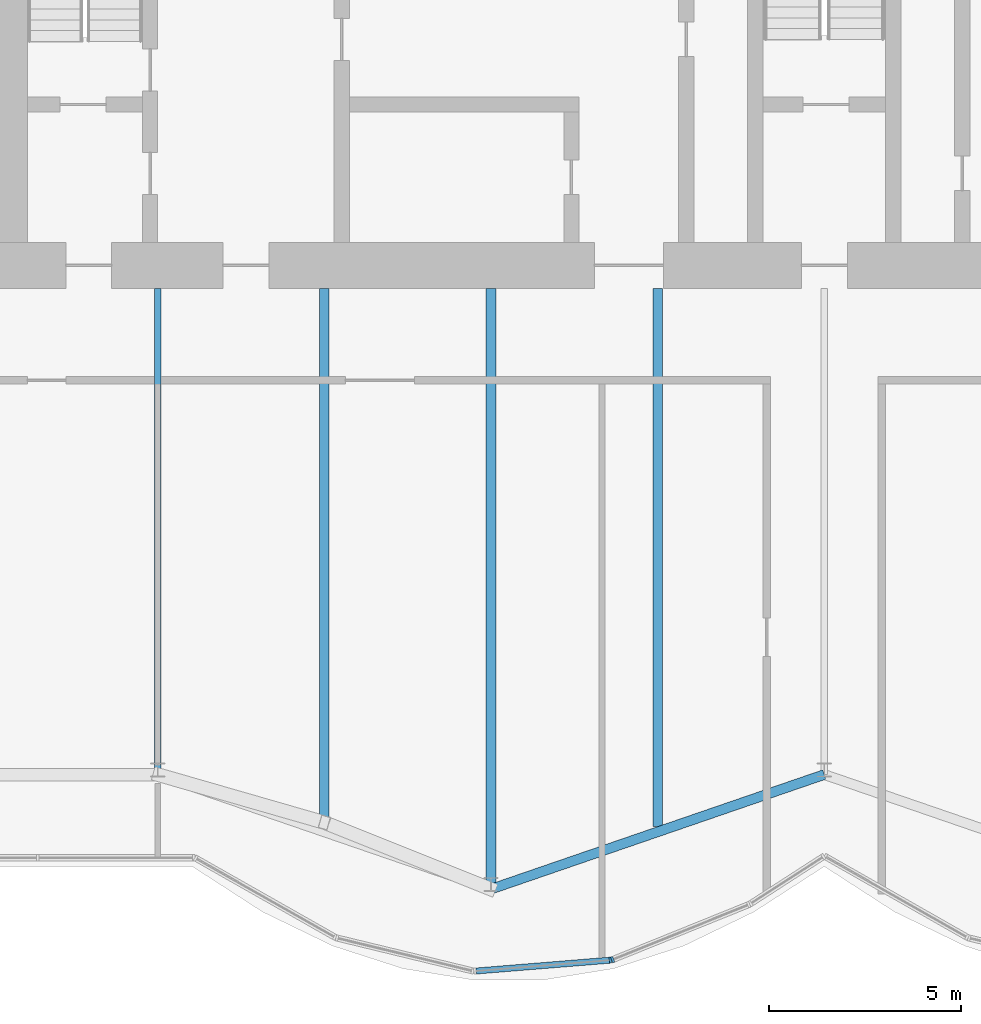
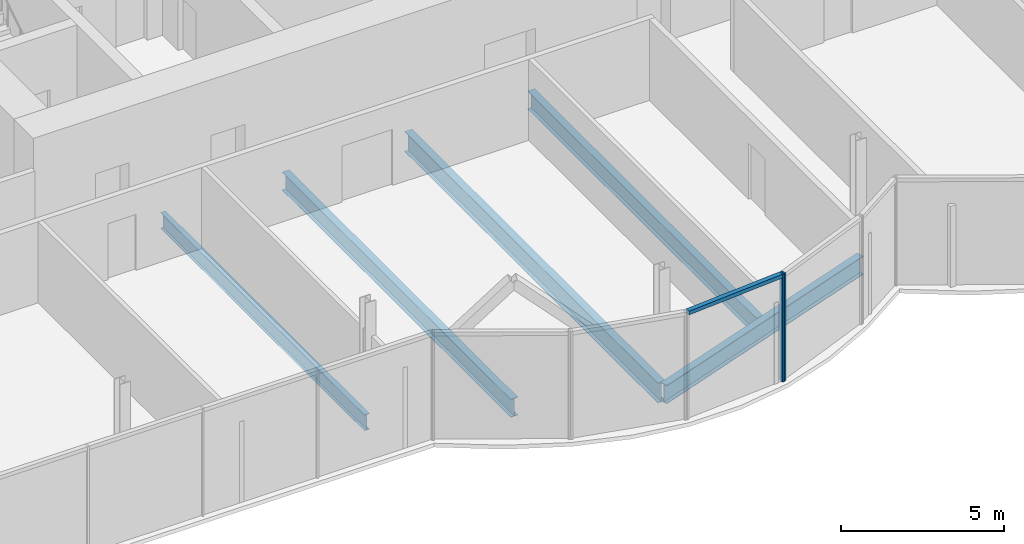
# One storey, part 6 of 19: 5 beams, 3 members, 1 element without a shape of its own.
"""IFC4 building model written with IfcOpenShell, lengths in metres."""

from ifc_helpers import new_model, si_unit, direction, frame, origin, origin_2d, place, context, subcontext, project, spatial, rectangle, i_section, extrude, material, material_profile, profile_set, type_object, element, aggregate, save


model = new_model("IFC4")

# Units and contexts
model_context = context("Model", 3, precision=1e-05, world=origin(), true_north=direction((0.0, 1.0)))
body_context = subcontext(model_context, "Body", "Model", "MODEL_VIEW")
ifc_project = project(units=[si_unit("LENGTHUNIT", "METRE"), si_unit("AREAUNIT", "SQUARE_METRE"), si_unit("VOLUMEUNIT", "CUBIC_METRE"), si_unit("PLANEANGLEUNIT", "RADIAN"), si_unit("MASSUNIT", "GRAM", prefix="KILO")], contexts=[model_context])

# Site, building, storey
site_placement = place(None, origin())
site = spatial("IfcSite", under=ifc_project, at=site_placement, CompositionType="ELEMENT")
building_placement = place(site_placement, origin())
building = spatial("IfcBuilding", under=site, at=building_placement, Name="Bicima Exchange Tower", CompositionType="ELEMENT")
storey_placement = place(building_placement, frame((0.0, 0.0, 279.199951171875)))
storey = spatial("IfcBuildingStorey", under=building, at=storey_placement, Name="L63", CompositionType="ELEMENT", Elevation=279.199951171875)

# Beams
ifc_material_1 = material(Name="Steel ASTM A992 Gr 50", Category="steel")
ifc_material_profile_1 = material_profile(ifc_material_1, i_section(OverallWidth=0.177978515625, OverallDepth=0.599365234375, WebThickness=0.010009765625, FlangeThickness=0.012939453125, at=origin_2d()))
ifc_profile_set_1 = profile_set([ifc_material_profile_1], Name="Steel ASTM A992 Gr 50")
beam_type_1 = type_object("IfcBeamType", Name="Floor beam W24x55", PredefinedType="JOIST", material=ifc_profile_set_1)
beam_1_placement = place(storey_placement, frame((-17.39990234375, -13.0, -0.44970703125), z_axis=(0.0, -1.0, 0.0), x_axis=(1.0, 0.0, 0.0)))
element("IfcBeam", 1, at=beam_1_placement, inside=storey, type_object=beam_type_1, Name="Floor beam", PredefinedType="JOIST", context=body_context, shape_type="SweptSolid", body=[
    extrude(i_section(OverallWidth=0.177978515625, OverallDepth=0.599365234375, WebThickness=0.010009765625, FlangeThickness=0.012939453125, at=origin_2d()), origin(), (0.0, 0.0, 1.0), 12.529296875),
])
ifc_material_profile_2 = material_profile(ifc_material_1, i_section(OverallWidth=0.25390625, OverallDepth=0.67822265625, WebThickness=0.01171875, FlangeThickness=0.016357421875, at=origin_2d()))
ifc_profile_set_2 = profile_set([ifc_material_profile_2], Name="Steel ASTM A992 Gr 50")
beam_type_2 = type_object("IfcBeamType", Name="Floor beam W27x84", PredefinedType="JOIST", material=ifc_profile_set_2)
for number, where, z_axis, x_axis, name in (
    (2, (-13.050048828125, -13.0, -0.489013671875), (0.0, -1.0, 0.0), (1.0, 0.0, 0.0), "Floor beam"),
    (3, (-4.35009765625, -13.0, -0.489013671875), (0.0, -1.0, 0.0), (1.0, 0.0, 0.0), "Floor beam"),
):
    element("IfcBeam", number, at=place(storey_placement, frame(where, z_axis=z_axis, x_axis=x_axis)), inside=storey, type_object=beam_type_2, Name=name, PredefinedType="JOIST", context=body_context, shape_type="SweptSolid", body=[
        extrude(i_section(OverallWidth=0.25390625, OverallDepth=0.67822265625, WebThickness=0.01171875, FlangeThickness=0.016357421875, at=origin_2d()), origin(), (0.0, 0.0, 1.0), 14.052001953125),
    ])
ifc_material_profile_3 = material_profile(ifc_material_1, i_section(OverallWidth=0.2666015625, OverallDepth=0.75439453125, WebThickness=0.01318359375, FlangeThickness=0.01708984375, at=origin_2d()))
ifc_profile_set_3 = profile_set([ifc_material_profile_3], Name="Steel ASTM A992 Gr 50")
beam_type_3 = type_object("IfcBeamType", Name="Floor beam W30x99", PredefinedType="JOIST", material=ifc_profile_set_3)
beam_2_placement = place(storey_placement, frame((-8.699951171875, -13.0, -0.527099609375), z_axis=(0.0, -1.0, 0.0), x_axis=(1.0, 0.0, 0.0)))
element("IfcBeam", 4, at=beam_2_placement, inside=storey, type_object=beam_type_3, Name="Floor beam", PredefinedType="JOIST", context=body_context, shape_type="SweptSolid", body=[
    extrude(i_section(OverallWidth=0.2666015625, OverallDepth=0.75439453125, WebThickness=0.01318359375, FlangeThickness=0.01708984375, at=origin_2d()), origin(), (0.0, 0.0, 1.0), 15.54736328125),
])
ifc_material_profile_4 = material_profile(ifc_material_1, i_section(OverallWidth=0.256591796875, OverallDepth=0.693359375, WebThickness=0.014404296875, FlangeThickness=0.023681640625, at=origin_2d()))
ifc_profile_set_4 = profile_set([ifc_material_profile_4], Name="Steel ASTM A992 Gr 50")
beam_type_4 = type_object("IfcBeamType", Name="Front girder W27x114", PredefinedType="BEAM", material=ifc_profile_set_4)
beam_3_placement = place(storey_placement, frame((-8.699951171875, -28.68310546875, -0.49658203125), z_axis=(0.945666456746, 0.325138359143, 0.0), x_axis=(-0.325138359143, 0.945666456746, 0.0)))
element("IfcBeam", 5, at=beam_3_placement, inside=storey, type_object=beam_type_4, Name="Front girder", PredefinedType="BEAM", context=body_context, shape_type="SweptSolid", body=[
    extrude(i_section(OverallWidth=0.256591796875, OverallDepth=0.693359375, WebThickness=0.014404296875, FlangeThickness=0.023681640625, at=origin_2d()), origin(), (0.0, 0.0, 1.0), 9.19970703125),
])

# Curtain wall, members
ifc_material_2 = material(Name="Anodised bronze aluminium", Category="aluminium")
curtain_wall_type = type_object("IfcCurtainWallType", Name="Front glass wall", PredefinedType="NOTDEFINED", material=ifc_material_2)
curtain_wall_placement = place(storey_placement, origin())
curtain_wall = element("IfcCurtainWall", 6, at=curtain_wall_placement, inside=storey, type_object=curtain_wall_type, Name="Front glass wall L63 run 6", PredefinedType="NOTDEFINED")
ifc_material_profile_5 = material_profile(ifc_material_2, rectangle(XDim=0.159912109375, YDim=0.06005859375, at=origin_2d()))
ifc_profile_set_5 = profile_set([ifc_material_profile_5], Name="Anodised bronze aluminium")
member_type_1 = type_object("IfcMemberType", Name="Front glass wall mullion 60 x 160", PredefinedType="MULLION", material=ifc_profile_set_5)
member_1_placement = place(storey_placement, frame((-5.583984375, -30.536865234375, 0.0), z_axis=(0.0, 0.0, 1.0), x_axis=(-0.080588612633, 0.99674744821, 0.0)))
member_1 = element("IfcMember", 7, at=member_1_placement, type_object=member_type_1, Name="Front glass wall mullion 2", PredefinedType="MULLION", context=body_context, shape_type="SweptSolid", body=[
    extrude(rectangle(XDim=0.159912109375, YDim=0.06005859375, at=origin_2d()), origin(), (0.0, 0.0, 1.0), 4.050048828125),
])
member_2_placement = place(storey_placement, frame((-5.526123046875, -30.523193359375, 0.0), z_axis=(0.0, 0.0, 1.0), x_axis=(-0.374705304, 0.92714396679, 0.0)))
member_2 = element("IfcMember", 8, at=member_2_placement, type_object=member_type_1, Name="Front glass wall mullion 1", PredefinedType="MULLION", context=body_context, shape_type="SweptSolid", body=[
    extrude(rectangle(XDim=0.159912109375, YDim=0.06005859375, at=origin_2d()), origin(), (0.0, 0.0, 1.0), 4.050048828125),
])
ifc_material_profile_6 = material_profile(ifc_material_2, rectangle(XDim=0.159912109375, YDim=0.139892578125, at=origin_2d()))
ifc_profile_set_6 = profile_set([ifc_material_profile_6], Name="Anodised bronze aluminium")
member_type_2 = type_object("IfcMemberType", Name="Front glass wall transom 140 x 160", PredefinedType="USERDEFINED", material=ifc_profile_set_6)
member_3_placement = place(storey_placement, frame((-9.08837890625, -30.8203125, 3.97998046875), z_axis=(0.9967456465, 0.080610893699, 0.0), x_axis=(-0.080610893699, 0.9967456465, 0.0)))
member_3 = element("IfcMember", 9, at=member_3_placement, type_object=member_type_2, Name="Front glass wall transom 1.1", ObjectType="TRANSOM", PredefinedType="USERDEFINED", context=body_context, shape_type="SweptSolid", body=[
    extrude(rectangle(XDim=0.159912109375, YDim=0.139892578125, at=origin_2d()), origin(), (0.0, 0.0, 1.0), 3.48583984375),
])
aggregate(curtain_wall, [member_1, member_3, member_2])

save(model, "model.ifc")
